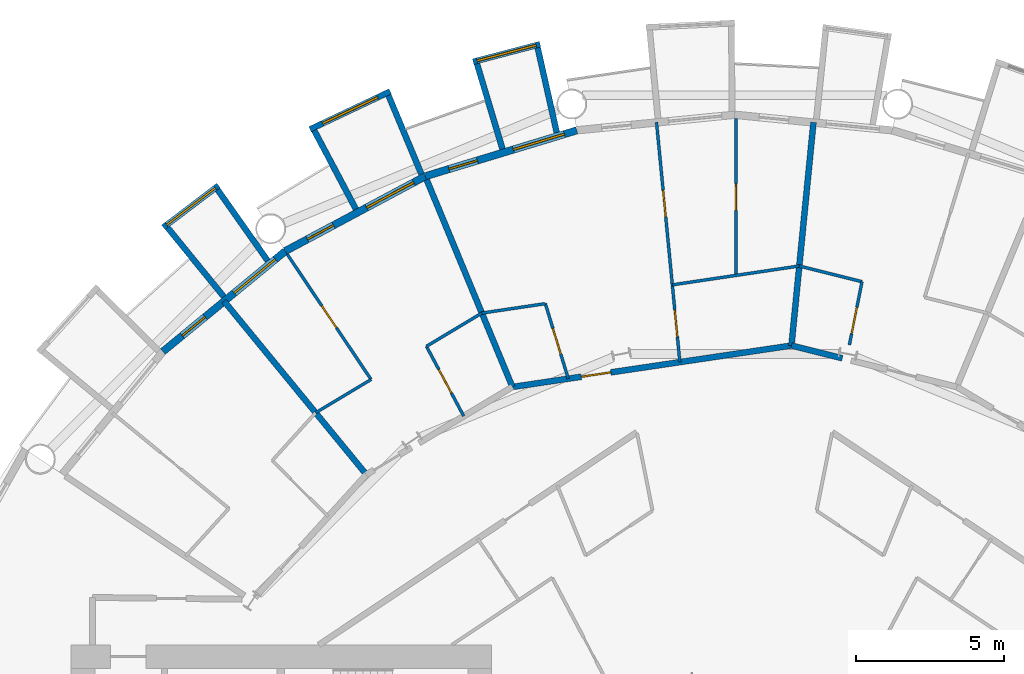
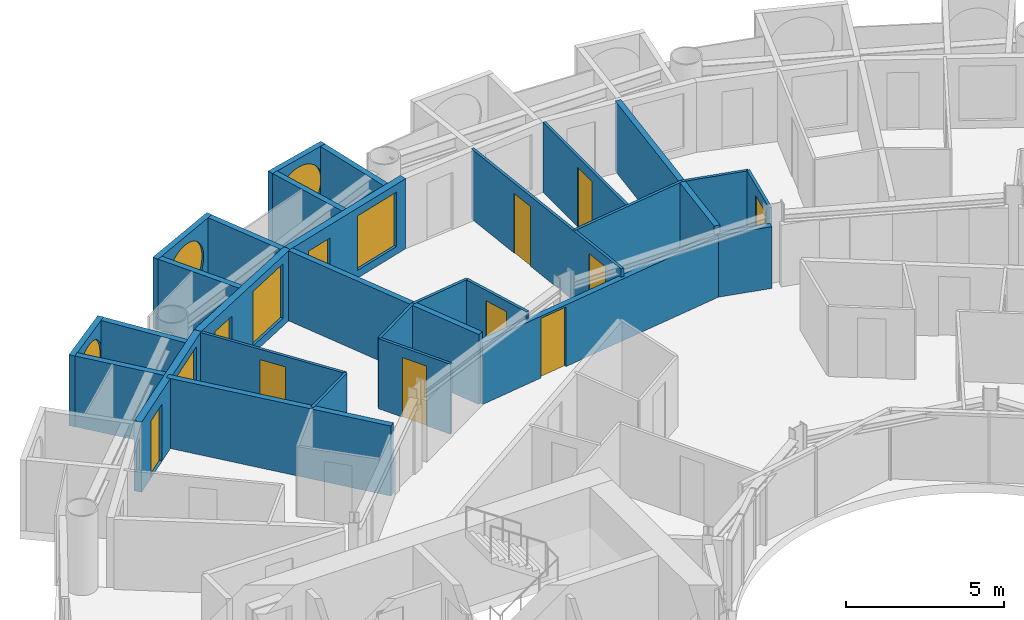
# One storey, part 19 of 26: 28 walls, 11 doors, 6 windows, 17 openings.
"""IFC4 building model written with IfcOpenShell, lengths in metres."""

from ifc_helpers import new_model, si_unit, direction, frame, frame_2d, origin, place, context, subcontext, project, spatial, rectangle, circle, extrude, material, layer, layer_set, type_object, element, fill, save


model = new_model("IFC4")

# Units and contexts
model_context = context("Model", 3, precision=1e-05, world=origin(), true_north=direction((0.0, 1.0)))
body_context = subcontext(model_context, "Body", "Model", "MODEL_VIEW")
ifc_project = project(units=[si_unit("LENGTHUNIT", "METRE"), si_unit("AREAUNIT", "SQUARE_METRE"), si_unit("VOLUMEUNIT", "CUBIC_METRE"), si_unit("PLANEANGLEUNIT", "RADIAN"), si_unit("MASSUNIT", "GRAM", prefix="KILO")], contexts=[model_context])

# Site, building, storey
site_placement = place(None, origin())
site = spatial("IfcSite", under=ifc_project, at=site_placement, CompositionType="ELEMENT")
building_placement = place(site_placement, origin())
building = spatial("IfcBuilding", under=site, at=building_placement, Name="Maasbend Ring Residences", CompositionType="ELEMENT")
storey_placement = place(building_placement, frame((0.0, 0.0, 28.89990234375)))
storey = spatial("IfcBuildingStorey", under=building, at=storey_placement, Name="L07", CompositionType="ELEMENT", Elevation=28.89990234375)

# Wall, opening, door
ifc_material_1 = material(Name="Concrete C30/37", Category="concrete")
ifc_layer_1 = layer(ifc_material_1, 0.199951171875)
ifc_layer_set_1 = layer_set([ifc_layer_1], Name="Concrete C30/37")
wall_type_1 = type_object("IfcWallType", Name="CORRIDOR WALL 200 CONCRETE", PredefinedType="PARTITIONING", material=ifc_layer_set_1)
wall_1_placement = place(storey_placement, frame((-7.5009765625, 18.10791015625, 0.0), z_axis=(0.0, 0.0, 1.0), x_axis=(0.989167514259, 0.146791105777, 0.0)))
wall_1 = element("IfcWall", 1, at=wall_1_placement, inside=storey, type_object=wall_type_1, Name="U-L07-w086", PredefinedType="PARTITIONING", context=body_context, shape_type="SweptSolid", body=[
    extrude(rectangle(XDim=9.525146484375, YDim=0.199951171875, at=frame_2d((4.7626953125, 0.0))), origin(), (0.0, 0.0, 1.0), 2.380126953125),
])
opening_1_placement = place(wall_1_placement, frame((2.35498046875, 0.0, 0.0)))
opening_1 = element("IfcOpeningElement", 2, at=opening_1_placement, cuts=wall_1, Name="Opening D-0710", PredefinedType="OPENING", context=body_context, shape_type="SweptSolid", body=[
    extrude(rectangle(XDim=1.0, YDim=2.300048828125, at=frame_2d((0.5, 1.14990234375))), frame((0.0, 0.10986328125, 0.0), z_axis=(0.0, -1.0, 0.0), x_axis=(1.0, 0.0, 0.0)), (0.0, 0.0, 1.0), 0.219970703125),
])
ifc_material_2 = material(Name="Timber, fire-rated, painted", Category="wood")
door_type_1 = type_object("IfcDoorType", Name="FLAT ENTRANCE DOOR 1000 X 2300 FIRE-RATED", OperationType="NOTDEFINED", PredefinedType="DOOR", material=ifc_material_2)
door_1_placement = place(opening_1_placement, origin())
door_1 = element("IfcDoor", 3, at=door_1_placement, inside=storey, type_object=door_type_1, Name="D-0710", OperationType="SINGLE_SWING_LEFT", OverallHeight=2.300048828125, OverallWidth=1.0, PredefinedType="DOOR", context=body_context, shape_type="SweptSolid", body=[
    extrude(rectangle(XDim=1.0, YDim=2.300048828125, at=frame_2d((0.5, 1.14990234375))), frame((0.0, 0.02490234375, 0.0), z_axis=(0.0, -1.0, 0.0), x_axis=(1.0, 0.0, 0.0)), (0.0, 0.0, 1.0), 0.050048828125),
])
fill(opening_1, door_1)

# Wall
wall_2_placement = place(storey_placement, frame((1.9208984375, 19.506103515625, 0.0), z_axis=(0.0, 0.0, 1.0), x_axis=(0.970053237222, -0.242892397895, 0.0)))
element("IfcWall", 4, at=wall_2_placement, inside=storey, type_object=wall_type_1, Name="U-L07-w090", PredefinedType="PARTITIONING", context=body_context, shape_type="SweptSolid", body=[
    extrude(rectangle(XDim=1.77099609375, YDim=0.199951171875, at=frame_2d((0.885498046875, 0.0))), origin(), (0.0, 0.0, 1.0), 2.380126953125),
])

# Wall, opening, window
ifc_material_3 = material(Name="Pale anodised aluminium panel", Category="aluminium")
ifc_layer_2 = layer(ifc_material_3, 0.199951171875)
ifc_layer_set_2 = layer_set([ifc_layer_2], Name="EW-BOX")
wall_type_2 = type_object("IfcWallType", Name="EW-BOX", PredefinedType="SOLIDWALL", material=ifc_layer_set_2)
wall_3_placement = place(storey_placement, frame((-6.568115234375, 29.681884765625, -0.02978515625), z_axis=(0.0, 0.0, 1.0), x_axis=(-0.967377102346, -0.253340762326, 0.0)))
wall_3 = element("IfcWall", 5, at=wall_3_placement, inside=storey, type_object=wall_type_2, Name="Box front N13", PredefinedType="SOLIDWALL", context=body_context, shape_type="SweptSolid", body=[
    extrude(rectangle(XDim=2.3359375, YDim=0.199951171875, at=frame_2d((1.16796875, 0.0))), origin(), (0.0, 0.0, 1.0), 2.72998046875),
])
opening_2_placement = place(wall_3_placement, frame((0.128173828125, 0.0, 0.330078125)))
opening_2 = element("IfcOpeningElement", 6, at=opening_2_placement, cuts=wall_3, Name="Opening W-RD", PredefinedType="OPENING", context=body_context, shape_type="SweptSolid", body=[
    extrude(circle(Radius=1.0400390625, at=frame_2d((1.0400390625, 1.0400390625))), frame((0.0, 0.10986328125, 0.0), z_axis=(0.0, -1.0, 0.0), x_axis=(1.0, 0.0, 0.0)), (0.0, 0.0, 1.0), 0.219970703125),
])
ifc_material_4 = material(Name="Aluminium and clear glass", Category="aluminium")
window_type_1 = type_object("IfcWindowType", Name="W-RD", PartitioningType="SINGLE_PANEL", PredefinedType="WINDOW", material=ifc_material_4)
window_1_placement = place(opening_2_placement, origin())
window_1 = element("IfcWindow", 7, at=window_1_placement, inside=storey, type_object=window_type_1, Name="Round window N13", OverallHeight=2.080078125, OverallWidth=2.080078125, PartitioningType="SINGLE_PANEL", PredefinedType="WINDOW", context=body_context, shape_type="SweptSolid", body=[
    extrude(circle(Radius=1.0400390625, at=frame_2d((1.0400390625, 1.0400390625))), frame((0.0, 0.030029296875, 0.0), z_axis=(0.0, -1.0, 0.0), x_axis=(1.0, 0.0, 0.0)), (0.0, 0.0, 1.0), 0.06005859375),
])
fill(opening_2, window_1)

# Walls
wall_4_placement = place(storey_placement, frame((-6.00390625, 26.699951171875, -0.02978515625), z_axis=(0.0, 0.0, 1.0), x_axis=(-0.219609259383, 0.975587911566, 0.0)))
element("IfcWall", 8, at=wall_4_placement, inside=storey, type_object=wall_type_2, Name="Box side wall N13 left", PredefinedType="SOLIDWALL", context=body_context, shape_type="SweptSolid", body=[
    extrude(rectangle(XDim=2.9326171875, YDim=0.199951171875, at=frame_2d((1.46630859375, 0.0))), origin(), (0.0, 0.0, 1.0), 2.72998046875),
])
wall_5_placement = place(storey_placement, frame((-7.8369140625, 26.14404296875, -0.02978515625), z_axis=(0.0, 0.0, 1.0), x_axis=(-0.287064767992, 0.957911174889, 0.0)))
element("IfcWall", 9, at=wall_5_placement, inside=storey, type_object=wall_type_2, Name="Box side wall N13 right", PredefinedType="SOLIDWALL", context=body_context, shape_type="SweptSolid", body=[
    extrude(rectangle(XDim=3.00634765625, YDim=0.199951171875, at=frame_2d((1.503173828125, 0.0))), origin(), (0.0, 0.0, 1.0), 2.72998046875),
])

# Wall, opening, window
wall_6_placement = place(storey_placement, frame((-11.62890625, 28.087890625, -0.02978515625), z_axis=(0.0, 0.0, 1.0), x_axis=(-0.904000060331, -0.427532327342, 0.0)))
wall_6 = element("IfcWall", 10, at=wall_6_placement, inside=storey, type_object=wall_type_2, Name="Box front N15", PredefinedType="SOLIDWALL", context=body_context, shape_type="SweptSolid", body=[
    extrude(rectangle(XDim=2.993408203125, YDim=0.199951171875, at=frame_2d((1.49658203125, 0.0))), origin(), (0.0, 0.0, 1.0), 2.72998046875),
])
opening_3_placement = place(wall_6_placement, frame((0.45654296875, 0.0, 0.330078125)))
opening_3 = element("IfcOpeningElement", 11, at=opening_3_placement, cuts=wall_6, Name="Opening W-RD", PredefinedType="OPENING", context=body_context, shape_type="SweptSolid", body=[
    extrude(circle(Radius=1.0400390625, at=frame_2d((1.0400390625, 1.0400390625))), frame((0.0, 0.10986328125, 0.0), z_axis=(0.0, -1.0, 0.0), x_axis=(1.0, 0.0, 0.0)), (0.0, 0.0, 1.0), 0.219970703125),
])
window_2_placement = place(opening_3_placement, origin())
window_2 = element("IfcWindow", 12, at=window_2_placement, inside=storey, type_object=window_type_1, Name="Round window N15", OverallHeight=2.080078125, OverallWidth=2.080078125, PartitioningType="SINGLE_PANEL", PredefinedType="WINDOW", context=body_context, shape_type="SweptSolid", body=[
    extrude(circle(Radius=1.0400390625, at=frame_2d((1.0400390625, 1.0400390625))), frame((0.0, 0.030029296875, 0.0), z_axis=(0.0, -1.0, 0.0), x_axis=(1.0, 0.0, 0.0)), (0.0, 0.0, 1.0), 0.06005859375),
])
fill(opening_3, window_2)

# Walls
wall_7_placement = place(storey_placement, frame((-10.574951171875, 25.294921875, -0.02978515625), z_axis=(0.0, 0.0, 1.0), x_axis=(-0.385697364644, 0.922625353492, 0.0)))
element("IfcWall", 13, at=wall_7_placement, inside=storey, type_object=wall_type_2, Name="Box side wall N15 left", PredefinedType="SOLIDWALL", context=body_context, shape_type="SweptSolid", body=[
    extrude(rectangle(XDim=2.88330078125, YDim=0.199951171875, at=frame_2d((1.441650390625, 0.0))), origin(), (0.0, 0.0, 1.0), 2.72998046875),
])
wall_8_placement = place(storey_placement, frame((-12.787109375, 24.113037109375, -0.02978515625), z_axis=(0.0, 0.0, 1.0), x_axis=(-0.468365282436, 0.883534924159, 0.0)))
element("IfcWall", 14, at=wall_8_placement, inside=storey, type_object=wall_type_2, Name="Box side wall N15 right", PredefinedType="SOLIDWALL", context=body_context, shape_type="SweptSolid", body=[
    extrude(rectangle(XDim=3.006103515625, YDim=0.199951171875, at=frame_2d((1.5029296875, 0.0))), origin(), (0.0, 0.0, 1.0), 2.72998046875),
])

# Wall, opening, window
wall_9_placement = place(storey_placement, frame((-17.427001953125, 24.908935546875, -0.02978515625), z_axis=(0.0, 0.0, 1.0), x_axis=(-0.796842165306, -0.60418752353, 0.0)))
wall_9 = element("IfcWall", 15, at=wall_9_placement, inside=storey, type_object=wall_type_2, Name="Box front N17", PredefinedType="SOLIDWALL", context=body_context, shape_type="SweptSolid", body=[
    extrude(rectangle(XDim=2.3369140625, YDim=0.199951171875, at=frame_2d((1.16845703125, 0.0))), origin(), (0.0, 0.0, 1.0), 2.72998046875),
])
opening_4_placement = place(wall_9_placement, frame((0.128173828125, 0.0, 0.330078125)))
opening_4 = element("IfcOpeningElement", 16, at=opening_4_placement, cuts=wall_9, Name="Opening W-RD", PredefinedType="OPENING", context=body_context, shape_type="SweptSolid", body=[
    extrude(circle(Radius=1.0400390625, at=frame_2d((1.0400390625, 1.0400390625))), frame((0.0, 0.10986328125, 0.0), z_axis=(0.0, -1.0, 0.0), x_axis=(1.0, 0.0, 0.0)), (0.0, 0.0, 1.0), 0.219970703125),
])
window_3_placement = place(opening_4_placement, origin())
window_3 = element("IfcWindow", 17, at=window_3_placement, inside=storey, type_object=window_type_1, Name="Round window N17", OverallHeight=2.080078125, OverallWidth=2.080078125, PartitioningType="SINGLE_PANEL", PredefinedType="WINDOW", context=body_context, shape_type="SweptSolid", body=[
    extrude(circle(Radius=1.0400390625, at=frame_2d((1.0400390625, 1.0400390625))), frame((0.0, 0.030029296875, 0.0), z_axis=(0.0, -1.0, 0.0), x_axis=(1.0, 0.0, 0.0)), (0.0, 0.0, 1.0), 0.06005859375),
])
fill(opening_4, window_3)

# Walls
wall_10_placement = place(storey_placement, frame((-15.764892578125, 22.3701171875, -0.02978515625), z_axis=(0.0, 0.0, 1.0), x_axis=(-0.576274612209, 0.817256123454, 0.0)))
element("IfcWall", 18, at=wall_10_placement, inside=storey, type_object=wall_type_2, Name="Box side wall N17 left", PredefinedType="SOLIDWALL", context=body_context, shape_type="SweptSolid", body=[
    extrude(rectangle(XDim=2.932861328125, YDim=0.199951171875, at=frame_2d((1.46630859375, 0.0))), origin(), (0.0, 0.0, 1.0), 2.72998046875),
])
wall_11_placement = place(storey_placement, frame((-17.24609375, 21.155029296875, -0.02978515625), z_axis=(0.0, 0.0, 1.0), x_axis=(-0.631741648902, 0.775179004516, 0.0)))
element("IfcWall", 19, at=wall_11_placement, inside=storey, type_object=wall_type_2, Name="Box side wall N17 right", PredefinedType="SOLIDWALL", context=body_context, shape_type="SweptSolid", body=[
    extrude(rectangle(XDim=3.005859375, YDim=0.199951171875, at=frame_2d((1.5029296875, 0.0))), origin(), (0.0, 0.0, 1.0), 2.72998046875),
])

# Wall, openings, door, window
ifc_material_5 = material(Name="Aluminium clad insulated panel", Category="aluminium")
ifc_layer_3 = layer(ifc_material_5, 0.25)
ifc_layer_set_3 = layer_set([ifc_layer_3], Name="EW-GL")
wall_type_3 = type_object("IfcWallType", Name="EW-GL", PredefinedType="SOLIDWALL", material=ifc_layer_set_3)
wall_12_placement = place(storey_placement, frame((-5.325927734375, 26.77490234375, 0.0), z_axis=(0.0, 0.0, 1.0), x_axis=(-0.956965678721, -0.290201119486, 0.0)))
wall_12 = element("IfcWall", 20, at=wall_12_placement, inside=storey, type_object=wall_type_3, Name="External wall N07", PredefinedType="SOLIDWALL", context=body_context, shape_type="SweptSolid", body=[
    extrude(rectangle(XDim=5.351318359375, YDim=0.25, at=frame_2d((2.67578125, 0.0))), origin(), (0.0, 0.0, 1.0), 2.7001953125),
])
opening_5_placement = place(wall_12_placement, frame((0.441162109375, 0.0, 0.300048828125)))
opening_5 = element("IfcOpeningElement", 21, at=opening_5_placement, cuts=wall_12, Name="Opening W-BX", PredefinedType="OPENING", context=body_context, shape_type="SweptSolid", body=[
    extrude(rectangle(XDim=1.800048828125, YDim=2.10009765625, at=frame_2d((0.89990234375, 1.050048828125))), frame((0.0, 0.135009765625, 0.0), z_axis=(0.0, -1.0, 0.0), x_axis=(1.0, 0.0, 0.0)), (0.0, 0.0, 1.0), 0.27001953125),
])
opening_6_placement = place(wall_12_placement, frame((3.510498046875, 0.0, 0.0)))
opening_6 = element("IfcOpeningElement", 22, at=opening_6_placement, cuts=wall_12, Name="Opening D-LG", PredefinedType="OPENING", context=body_context, shape_type="SweptSolid", body=[
    extrude(rectangle(XDim=1.0, YDim=2.199951171875, at=frame_2d((0.5, 1.10009765625))), frame((0.0, 0.135009765625, 0.0), z_axis=(0.0, -1.0, 0.0), x_axis=(1.0, 0.0, 0.0)), (0.0, 0.0, 1.0), 0.27001953125),
])
ifc_material_6 = material(Name="Aluminium and clear glass", Category="aluminium")
door_type_2 = type_object("IfcDoorType", Name="D-LG", OperationType="SINGLE_SWING_LEFT", PredefinedType="DOOR", material=ifc_material_6)
door_2_placement = place(opening_6_placement, origin())
door_2 = element("IfcDoor", 23, at=door_2_placement, inside=storey, type_object=door_type_2, Name="Loggia door N14", OperationType="SINGLE_SWING_LEFT", OverallHeight=2.199951171875, OverallWidth=1.0, PredefinedType="DOOR", context=body_context, shape_type="SweptSolid", body=[
    extrude(rectangle(XDim=1.0, YDim=2.199951171875, at=frame_2d((0.5, 1.10009765625))), frame((0.0, 0.02490234375, 0.0), z_axis=(0.0, -1.0, 0.0), x_axis=(1.0, 0.0, 0.0)), (0.0, 0.0, 1.0), 0.050048828125),
])
fill(opening_6, door_2)
ifc_material_7 = material(Name="Aluminium and clear glass", Category="aluminium")
window_type_2 = type_object("IfcWindowType", Name="W-BX", PartitioningType="DOUBLE_PANEL_VERTICAL", PredefinedType="WINDOW", material=ifc_material_7)
window_4_placement = place(opening_5_placement, origin())
window_4 = element("IfcWindow", 24, at=window_4_placement, inside=storey, type_object=window_type_2, Name="Window N13 room to box", OverallHeight=2.10009765625, OverallWidth=1.800048828125, PartitioningType="SINGLE_PANEL", PredefinedType="WINDOW", context=body_context, shape_type="SweptSolid", body=[
    extrude(rectangle(XDim=1.800048828125, YDim=2.10009765625, at=frame_2d((0.89990234375, 1.050048828125))), frame((0.0, 0.030029296875, 0.0), z_axis=(0.0, -1.0, 0.0), x_axis=(1.0, 0.0, 0.0)), (0.0, 0.0, 1.0), 0.06005859375),
])
fill(opening_5, window_4)

wall_13_placement = place(storey_placement, frame((-10.447021484375, 25.221923828125, 0.0), z_axis=(0.0, 0.0, 1.0), x_axis=(-0.881915646801, -0.471407246368, 0.0)))
wall_13 = element("IfcWall", 25, at=wall_13_placement, inside=storey, type_object=wall_type_3, Name="External wall N08", PredefinedType="SOLIDWALL", context=body_context, shape_type="SweptSolid", body=[
    extrude(rectangle(XDim=5.35205078125, YDim=0.25, at=frame_2d((2.676025390625, 0.0))), origin(), (0.0, 0.0, 1.0), 2.7001953125),
])
opening_7_placement = place(wall_13_placement, frame((0.441162109375, 0.0, 0.300048828125)))
opening_7 = element("IfcOpeningElement", 26, at=opening_7_placement, cuts=wall_13, Name="Opening W-BX", PredefinedType="OPENING", context=body_context, shape_type="SweptSolid", body=[
    extrude(rectangle(XDim=1.800048828125, YDim=2.10009765625, at=frame_2d((0.89990234375, 1.050048828125))), frame((0.0, 0.135009765625, 0.0), z_axis=(0.0, -1.0, 0.0), x_axis=(1.0, 0.0, 0.0)), (0.0, 0.0, 1.0), 0.27001953125),
])
opening_8_placement = place(wall_13_placement, frame((3.510498046875, 0.0, 0.0)))
opening_8 = element("IfcOpeningElement", 27, at=opening_8_placement, cuts=wall_13, Name="Opening D-LG", PredefinedType="OPENING", context=body_context, shape_type="SweptSolid", body=[
    extrude(rectangle(XDim=1.0, YDim=2.199951171875, at=frame_2d((0.5, 1.10009765625))), frame((0.0, 0.135009765625, 0.0), z_axis=(0.0, -1.0, 0.0), x_axis=(1.0, 0.0, 0.0)), (0.0, 0.0, 1.0), 0.27001953125),
])
door_3_placement = place(opening_8_placement, origin())
door_3 = element("IfcDoor", 28, at=door_3_placement, inside=storey, type_object=door_type_2, Name="Loggia door N16", OperationType="SINGLE_SWING_LEFT", OverallHeight=2.199951171875, OverallWidth=1.0, PredefinedType="DOOR", context=body_context, shape_type="SweptSolid", body=[
    extrude(rectangle(XDim=1.0, YDim=2.199951171875, at=frame_2d((0.5, 1.10009765625))), frame((0.0, 0.02490234375, 0.0), z_axis=(0.0, -1.0, 0.0), x_axis=(1.0, 0.0, 0.0)), (0.0, 0.0, 1.0), 0.050048828125),
])
fill(opening_8, door_3)
window_5_placement = place(opening_7_placement, origin())
window_5 = element("IfcWindow", 29, at=window_5_placement, inside=storey, type_object=window_type_2, Name="Window N15 room to box", OverallHeight=2.10009765625, OverallWidth=1.800048828125, PartitioningType="SINGLE_PANEL", PredefinedType="WINDOW", context=body_context, shape_type="SweptSolid", body=[
    extrude(rectangle(XDim=1.800048828125, YDim=2.10009765625, at=frame_2d((0.89990234375, 1.050048828125))), frame((0.0, 0.030029296875, 0.0), z_axis=(0.0, -1.0, 0.0), x_axis=(1.0, 0.0, 0.0)), (0.0, 0.0, 1.0), 0.06005859375),
])
fill(opening_7, window_5)

wall_14_placement = place(storey_placement, frame((-15.1669921875, 22.698974609375, 0.0), z_axis=(0.0, 0.0, 1.0), x_axis=(-0.773019449054, -0.634382322723, 0.0)))
wall_14 = element("IfcWall", 30, at=wall_14_placement, inside=storey, type_object=wall_type_3, Name="External wall N09", PredefinedType="SOLIDWALL", context=body_context, shape_type="SweptSolid", body=[
    extrude(rectangle(XDim=5.351806640625, YDim=0.25, at=frame_2d((2.67578125, 0.0))), origin(), (0.0, 0.0, 1.0), 2.7001953125),
])
opening_9_placement = place(wall_14_placement, frame((0.441162109375, 0.0, 0.300048828125)))
opening_9 = element("IfcOpeningElement", 31, at=opening_9_placement, cuts=wall_14, Name="Opening W-BX", PredefinedType="OPENING", context=body_context, shape_type="SweptSolid", body=[
    extrude(rectangle(XDim=1.800048828125, YDim=2.10009765625, at=frame_2d((0.89990234375, 1.050048828125))), frame((0.0, 0.135009765625, 0.0), z_axis=(0.0, -1.0, 0.0), x_axis=(1.0, 0.0, 0.0)), (0.0, 0.0, 1.0), 0.27001953125),
])
opening_10_placement = place(wall_14_placement, frame((3.510498046875, 0.0, 0.0)))
opening_10 = element("IfcOpeningElement", 32, at=opening_10_placement, cuts=wall_14, Name="Opening D-LG", PredefinedType="OPENING", context=body_context, shape_type="SweptSolid", body=[
    extrude(rectangle(XDim=1.0, YDim=2.199951171875, at=frame_2d((0.5, 1.10009765625))), frame((0.0, 0.135009765625, 0.0), z_axis=(0.0, -1.0, 0.0), x_axis=(1.0, 0.0, 0.0)), (0.0, 0.0, 1.0), 0.27001953125),
])
door_4_placement = place(opening_10_placement, origin())
door_4 = element("IfcDoor", 33, at=door_4_placement, inside=storey, type_object=door_type_2, Name="Loggia door N18", OperationType="SINGLE_SWING_LEFT", OverallHeight=2.199951171875, OverallWidth=1.0, PredefinedType="DOOR", context=body_context, shape_type="SweptSolid", body=[
    extrude(rectangle(XDim=1.0, YDim=2.199951171875, at=frame_2d((0.5, 1.10009765625))), frame((0.0, 0.02490234375, 0.0), z_axis=(0.0, -1.0, 0.0), x_axis=(1.0, 0.0, 0.0)), (0.0, 0.0, 1.0), 0.050048828125),
])
fill(opening_10, door_4)
window_6_placement = place(opening_9_placement, origin())
window_6 = element("IfcWindow", 34, at=window_6_placement, inside=storey, type_object=window_type_2, Name="Window N17 room to box", OverallHeight=2.10009765625, OverallWidth=1.800048828125, PartitioningType="SINGLE_PANEL", PredefinedType="WINDOW", context=body_context, shape_type="SweptSolid", body=[
    extrude(rectangle(XDim=1.800048828125, YDim=2.10009765625, at=frame_2d((0.89990234375, 1.050048828125))), frame((0.0, 0.030029296875, 0.0), z_axis=(0.0, -1.0, 0.0), x_axis=(1.0, 0.0, 0.0)), (0.0, 0.0, 1.0), 0.06005859375),
])
fill(opening_9, window_6)

# Wall, opening, door
ifc_material_8 = material(Name="Gypsum board on steel studs", Category="steel")
ifc_layer_4 = layer(ifc_material_8, 0.10009765625)
ifc_layer_set_4 = layer_set([ifc_layer_4], Name="PARTITION 100 GYPSUM")
wall_type_4 = type_object("IfcWallType", Name="PARTITION 100 GYPSUM", PredefinedType="PARTITIONING", material=ifc_layer_set_4)
wall_15_placement = place(storey_placement, frame((-15.10498046875, 22.590087890625, 0.0), z_axis=(0.0, 0.0, 1.0), x_axis=(0.555939561221, -0.831222716406, 0.0)))
wall_15 = element("IfcWall", 35, at=wall_15_placement, inside=storey, type_object=wall_type_4, Name="U-L07-w032", PredefinedType="PARTITIONING", context=body_context, shape_type="SweptSolid", body=[
    extrude(rectangle(XDim=5.0888671875, YDim=0.10009765625, at=frame_2d((2.54443359375, 0.0))), origin(), (0.0, 0.0, 1.0), 2.7001953125),
])
opening_11_placement = place(wall_15_placement, frame((2.093994140625, 0.0, 0.0)))
opening_11 = element("IfcOpeningElement", 36, at=opening_11_placement, cuts=wall_15, Name="Opening D-0717", PredefinedType="OPENING", context=body_context, shape_type="SweptSolid", body=[
    extrude(rectangle(XDim=0.89990234375, YDim=2.300048828125, at=frame_2d((0.449951171875, 1.14990234375))), frame((0.0, 0.06005859375, 0.0), z_axis=(0.0, -1.0, 0.0), x_axis=(1.0, 0.0, 0.0)), (0.0, 0.0, 1.0), 0.1201171875),
])
ifc_material_9 = material(Name="Timber, painted", Category="wood")
door_type_3 = type_object("IfcDoorType", Name="INTERNAL DOOR 900 X 2300", OperationType="NOTDEFINED", PredefinedType="DOOR", material=ifc_material_9)
door_5_placement = place(opening_11_placement, origin())
door_5 = element("IfcDoor", 37, at=door_5_placement, inside=storey, type_object=door_type_3, Name="D-0717", OperationType="SINGLE_SWING_RIGHT", OverallHeight=2.300048828125, OverallWidth=0.89990234375, PredefinedType="DOOR", context=body_context, shape_type="SweptSolid", body=[
    extrude(rectangle(XDim=0.89990234375, YDim=2.300048828125, at=frame_2d((0.449951171875, 1.14990234375))), frame((0.0, 0.02490234375, 0.0), z_axis=(0.0, -1.0, 0.0), x_axis=(1.0, 0.0, 0.0)), (0.0, 0.0, 1.0), 0.050048828125),
])
fill(opening_11, door_5)

wall_16_placement = place(storey_placement, frame((-10.405029296875, 19.48095703125, 0.0), z_axis=(0.0, 0.0, 1.0), x_axis=(0.471151994359, -0.882052038267, 0.0)))
wall_16 = element("IfcWall", 38, at=wall_16_placement, inside=storey, type_object=wall_type_4, Name="U-L07-w036", PredefinedType="PARTITIONING", context=body_context, shape_type="SweptSolid", body=[
    extrude(rectangle(XDim=2.67431640625, YDim=0.10009765625, at=frame_2d((1.337158203125, 0.0))), origin(), (0.0, 0.0, 1.0), 2.7001953125),
])
opening_12_placement = place(wall_16_placement, frame((0.886962890625, 0.0, 0.0)))
opening_12 = element("IfcOpeningElement", 39, at=opening_12_placement, cuts=wall_16, Name="Opening D-0716", PredefinedType="OPENING", context=body_context, shape_type="SweptSolid", body=[
    extrude(rectangle(XDim=0.89990234375, YDim=2.300048828125, at=frame_2d((0.449951171875, 1.14990234375))), frame((0.0, 0.06005859375, 0.0), z_axis=(0.0, -1.0, 0.0), x_axis=(1.0, 0.0, 0.0)), (0.0, 0.0, 1.0), 0.1201171875),
])
door_6_placement = place(opening_12_placement, origin())
door_6 = element("IfcDoor", 40, at=door_6_placement, inside=storey, type_object=door_type_3, Name="D-0716", OperationType="SINGLE_SWING_LEFT", OverallHeight=2.300048828125, OverallWidth=0.89990234375, PredefinedType="DOOR", context=body_context, shape_type="SweptSolid", body=[
    extrude(rectangle(XDim=0.89990234375, YDim=2.300048828125, at=frame_2d((0.449951171875, 1.14990234375))), frame((0.0, 0.02490234375, 0.0), z_axis=(0.0, -1.0, 0.0), x_axis=(1.0, 0.0, 0.0)), (0.0, 0.0, 1.0), 0.050048828125),
])
fill(opening_12, door_6)

wall_17_placement = place(storey_placement, frame((-6.389892578125, 20.9208984375, 0.0), z_axis=(0.0, 0.0, 1.0), x_axis=(0.292206826201, -0.956355148845, 0.0)))
wall_17 = element("IfcWall", 41, at=wall_17_placement, inside=storey, type_object=wall_type_4, Name="U-L07-w041", PredefinedType="PARTITIONING", context=body_context, shape_type="SweptSolid", body=[
    extrude(rectangle(XDim=2.6484375, YDim=0.10009765625, at=frame_2d((1.32421875, 0.0))), origin(), (0.0, 0.0, 1.0), 2.7001953125),
])
opening_13_placement = place(wall_17_placement, frame((0.8740234375, 0.0, 0.0)))
opening_13 = element("IfcOpeningElement", 42, at=opening_13_placement, cuts=wall_17, Name="Opening D-0711", PredefinedType="OPENING", context=body_context, shape_type="SweptSolid", body=[
    extrude(rectangle(XDim=0.89990234375, YDim=2.300048828125, at=frame_2d((0.449951171875, 1.14990234375))), frame((0.0, 0.06005859375, 0.0), z_axis=(0.0, -1.0, 0.0), x_axis=(1.0, 0.0, 0.0)), (0.0, 0.0, 1.0), 0.1201171875),
])
door_7_placement = place(opening_13_placement, origin())
door_7 = element("IfcDoor", 43, at=door_7_placement, inside=storey, type_object=door_type_3, Name="D-0711", OperationType="SINGLE_SWING_LEFT", OverallHeight=2.300048828125, OverallWidth=0.89990234375, PredefinedType="DOOR", context=body_context, shape_type="SweptSolid", body=[
    extrude(rectangle(XDim=0.89990234375, YDim=2.300048828125, at=frame_2d((0.449951171875, 1.14990234375))), frame((0.0, 0.02490234375, 0.0), z_axis=(0.0, -1.0, 0.0), x_axis=(1.0, 0.0, 0.0)), (0.0, 0.0, 1.0), 0.050048828125),
])
fill(opening_13, door_7)

# Wall, openings, doors
wall_18_placement = place(storey_placement, frame((-2.635986328125, 27.047119140625, 0.0), z_axis=(0.0, 0.0, 1.0), x_axis=(0.096836141099, -0.995300337475, 0.0)))
wall_18 = element("IfcWall", 44, at=wall_18_placement, inside=storey, type_object=wall_type_4, Name="U-L07-w046", PredefinedType="PARTITIONING", context=body_context, shape_type="SweptSolid", body=[
    extrude(rectangle(XDim=8.138427734375, YDim=0.10009765625, at=frame_2d((4.0693359375, 0.0))), origin(), (0.0, 0.0, 1.0), 2.7001953125),
])
opening_14_placement = place(wall_18_placement, frame((6.376953125, 0.0, 0.0)))
opening_14 = element("IfcOpeningElement", 45, at=opening_14_placement, cuts=wall_18, Name="Opening D-0712", PredefinedType="OPENING", context=body_context, shape_type="SweptSolid", body=[
    extrude(rectangle(XDim=0.89990234375, YDim=2.300048828125, at=frame_2d((0.449951171875, 1.14990234375))), frame((0.0, 0.06005859375, 0.0), z_axis=(0.0, -1.0, 0.0), x_axis=(1.0, 0.0, 0.0)), (0.0, 0.0, 1.0), 0.1201171875),
])
opening_15_placement = place(wall_18_placement, frame((2.30810546875, 0.0, 0.0)))
opening_15 = element("IfcOpeningElement", 46, at=opening_15_placement, cuts=wall_18, Name="Opening D-0713", PredefinedType="OPENING", context=body_context, shape_type="SweptSolid", body=[
    extrude(rectangle(XDim=0.89990234375, YDim=2.300048828125, at=frame_2d((0.449951171875, 1.14990234375))), frame((0.0, 0.06005859375, 0.0), z_axis=(0.0, -1.0, 0.0), x_axis=(1.0, 0.0, 0.0)), (0.0, 0.0, 1.0), 0.1201171875),
])
door_8_placement = place(opening_14_placement, origin())
door_8 = element("IfcDoor", 47, at=door_8_placement, inside=storey, type_object=door_type_3, Name="D-0712", OperationType="SINGLE_SWING_RIGHT", OverallHeight=2.300048828125, OverallWidth=0.89990234375, PredefinedType="DOOR", context=body_context, shape_type="SweptSolid", body=[
    extrude(rectangle(XDim=0.89990234375, YDim=2.300048828125, at=frame_2d((0.449951171875, 1.14990234375))), frame((0.0, 0.02490234375, 0.0), z_axis=(0.0, -1.0, 0.0), x_axis=(1.0, 0.0, 0.0)), (0.0, 0.0, 1.0), 0.050048828125),
])
fill(opening_14, door_8)
door_9_placement = place(opening_15_placement, origin())
door_9 = element("IfcDoor", 48, at=door_9_placement, inside=storey, type_object=door_type_3, Name="D-0713", OperationType="SINGLE_SWING_LEFT", OverallHeight=2.300048828125, OverallWidth=0.89990234375, PredefinedType="DOOR", context=body_context, shape_type="SweptSolid", body=[
    extrude(rectangle(XDim=0.89990234375, YDim=2.300048828125, at=frame_2d((0.449951171875, 1.14990234375))), frame((0.0, 0.02490234375, 0.0), z_axis=(0.0, -1.0, 0.0), x_axis=(1.0, 0.0, 0.0)), (0.0, 0.0, 1.0), 0.050048828125),
])
fill(opening_15, door_9)

# Wall, opening, door
wall_19_placement = place(storey_placement, frame((0.0419921875, 21.875, 0.0), z_axis=(0.0, 0.0, 1.0), x_axis=(0.001888614256, 0.999998216567, 0.0)))
wall_19 = element("IfcWall", 49, at=wall_19_placement, inside=storey, type_object=wall_type_4, Name="U-L07-w049", PredefinedType="PARTITIONING", context=body_context, shape_type="SweptSolid", body=[
    extrude(rectangle(XDim=5.300048828125, YDim=0.10009765625, at=frame_2d((2.64990234375, 0.0))), origin(), (0.0, 0.0, 1.0), 2.7001953125),
])
opening_16_placement = place(wall_19_placement, frame((2.199951171875, 0.0, 0.0)))
opening_16 = element("IfcOpeningElement", 50, at=opening_16_placement, cuts=wall_19, Name="Opening D-0714", PredefinedType="OPENING", context=body_context, shape_type="SweptSolid", body=[
    extrude(rectangle(XDim=0.89990234375, YDim=2.300048828125, at=frame_2d((0.449951171875, 1.14990234375))), frame((0.0, 0.06005859375, 0.0), z_axis=(0.0, -1.0, 0.0), x_axis=(1.0, 0.0, 0.0)), (0.0, 0.0, 1.0), 0.1201171875),
])
door_10_placement = place(opening_16_placement, origin())
door_10 = element("IfcDoor", 51, at=door_10_placement, inside=storey, type_object=door_type_3, Name="D-0714", OperationType="SINGLE_SWING_RIGHT", OverallHeight=2.300048828125, OverallWidth=0.89990234375, PredefinedType="DOOR", context=body_context, shape_type="SweptSolid", body=[
    extrude(rectangle(XDim=0.89990234375, YDim=2.300048828125, at=frame_2d((0.449951171875, 1.14990234375))), frame((0.0, 0.02490234375, 0.0), z_axis=(0.0, -1.0, 0.0), x_axis=(1.0, 0.0, 0.0)), (0.0, 0.0, 1.0), 0.050048828125),
])
fill(opening_16, door_10)

wall_20_placement = place(storey_placement, frame((3.8779296875, 19.529052734375, 0.0), z_axis=(0.0, 0.0, 1.0), x_axis=(0.194907578226, 0.980821612706, 0.0)))
wall_20 = element("IfcWall", 52, at=wall_20_placement, inside=storey, type_object=wall_type_4, Name="U-L07-w056", PredefinedType="PARTITIONING", context=body_context, shape_type="SweptSolid", body=[
    extrude(rectangle(XDim=2.17578125, YDim=0.10009765625, at=frame_2d((1.087890625, 0.0))), origin(), (0.0, 0.0, 1.0), 2.7001953125),
])
opening_17_placement = place(wall_20_placement, frame((0.388916015625, 0.0, 0.0)))
opening_17 = element("IfcOpeningElement", 53, at=opening_17_placement, cuts=wall_20, Name="Opening D-0708", PredefinedType="OPENING", context=body_context, shape_type="SweptSolid", body=[
    extrude(rectangle(XDim=0.89990234375, YDim=2.300048828125, at=frame_2d((0.449951171875, 1.14990234375))), frame((0.0, 0.06005859375, 0.0), z_axis=(0.0, -1.0, 0.0), x_axis=(1.0, 0.0, 0.0)), (0.0, 0.0, 1.0), 0.1201171875),
])
door_11_placement = place(opening_17_placement, origin())
door_11 = element("IfcDoor", 54, at=door_11_placement, inside=storey, type_object=door_type_3, Name="D-0708", OperationType="SINGLE_SWING_LEFT", OverallHeight=2.300048828125, OverallWidth=0.89990234375, PredefinedType="DOOR", context=body_context, shape_type="SweptSolid", body=[
    extrude(rectangle(XDim=0.89990234375, YDim=2.300048828125, at=frame_2d((0.449951171875, 1.14990234375))), frame((0.0, 0.02490234375, 0.0), z_axis=(0.0, -1.0, 0.0), x_axis=(1.0, 0.0, 0.0)), (0.0, 0.0, 1.0), 0.050048828125),
])
fill(opening_17, door_11)

# Walls
wall_21_placement = place(storey_placement, frame((-8.533935546875, 20.60302734375, 0.0), z_axis=(0.0, 0.0, 1.0), x_axis=(0.989187732684, 0.14665479708, 0.0)))
element("IfcWall", 55, at=wall_21_placement, inside=storey, type_object=wall_type_4, Name="U-L07-w095", PredefinedType="PARTITIONING", context=body_context, shape_type="SweptSolid", body=[
    extrude(rectangle(XDim=2.16748046875, YDim=0.10009765625, at=frame_2d((1.083740234375, 0.0))), origin(), (0.0, 0.0, 1.0), 2.7001953125),
])
wall_22_placement = place(storey_placement, frame((-2.10205078125, 21.556884765625, 0.0), z_axis=(0.0, 0.0, 1.0), x_axis=(0.989171386505, 0.146765009863, 0.0)))
element("IfcWall", 56, at=wall_22_placement, inside=storey, type_object=wall_type_4, Name="U-L07-w096", PredefinedType="PARTITIONING", context=body_context, shape_type="SweptSolid", body=[
    extrude(rectangle(XDim=4.3349609375, YDim=0.10009765625, at=frame_2d((2.16748046875, 0.0))), origin(), (0.0, 0.0, 1.0), 2.7001953125),
])
for number, where, z_axis, x_axis, name in (
    (57, (-14.14697265625, 17.237060546875, 0.0), (0.0, 0.0, 1.0), (0.857660741648, 0.514215958752, 0.0), "U-L07-w101"),
    (58, (-10.405029296875, 19.48095703125, 0.0), (0.0, 0.0, 1.0), (0.857611386679, 0.514298268943, 0.0), "U-L07-w102"),
):
    element("IfcWall", number, at=place(storey_placement, frame(where, z_axis=z_axis, x_axis=x_axis)), inside=storey, type_object=wall_type_4, Name=name, PredefinedType="PARTITIONING", context=body_context, shape_type="SweptSolid", body=[
        extrude(rectangle(XDim=2.181640625, YDim=0.10009765625, at=frame_2d((1.0908203125, 0.0))), origin(), (0.0, 0.0, 1.0), 2.7001953125),
    ])
wall_23_placement = place(storey_placement, frame((2.18603515625, 22.193115234375, 0.0), z_axis=(0.0, 0.0, 1.0), x_axis=(0.97003047456, -0.242983288366, 0.0)))
element("IfcWall", 59, at=wall_23_placement, inside=storey, type_object=wall_type_4, Name="U-L07-w103", PredefinedType="PARTITIONING", context=body_context, shape_type="SweptSolid", body=[
    extrude(rectangle(XDim=2.181396484375, YDim=0.10009765625, at=frame_2d((1.0908203125, 0.0))), origin(), (0.0, 0.0, 1.0), 2.7001953125),
])
ifc_material_10 = material(Name="Concrete C30/37", Category="concrete")
ifc_layer_5 = layer(ifc_material_10, 0.199951171875)
ifc_layer_set_5 = layer_set([ifc_layer_5], Name="Concrete C30/37")
wall_type_5 = type_object("IfcWallType", Name="PARTY WALL 200 CONCRETE", PredefinedType="PARTITIONING", material=ifc_layer_set_5)
wall_24_placement = place(storey_placement, frame((-17.239990234375, 21.007080078125, 0.0), z_axis=(0.0, 0.0, 1.0), x_axis=(0.634381303318, -0.773020285633, 0.0)))
element("IfcWall", 60, at=wall_24_placement, inside=storey, type_object=wall_type_5, Name="U-L07-w028", PredefinedType="PARTITIONING", context=body_context, shape_type="SweptSolid", body=[
    extrude(rectangle(XDim=7.57568359375, YDim=0.199951171875, at=frame_2d((3.787841796875, 0.0))), origin(), (0.0, 0.0, 1.0), 2.7001953125),
])
wall_25_placement = place(storey_placement, frame((-10.39794921875, 25.10595703125, 0.0), z_axis=(0.0, 0.0, 1.0), x_axis=(0.382490346157, -0.923959487801, 0.0)))
element("IfcWall", 61, at=wall_25_placement, inside=storey, type_object=wall_type_5, Name="U-L07-w037", PredefinedType="PARTITIONING", context=body_context, shape_type="SweptSolid", body=[
    extrude(rectangle(XDim=7.573974609375, YDim=0.199951171875, at=frame_2d((3.787109375, 0.0))), origin(), (0.0, 0.0, 1.0), 2.7001953125),
])
wall_26_placement = place(storey_placement, frame((1.9208984375, 19.506103515625, 0.0), z_axis=(0.0, 0.0, 1.0), x_axis=(0.098115395479, 0.995175044487, 0.0)))
element("IfcWall", 62, at=wall_26_placement, inside=storey, type_object=wall_type_5, Name="U-L07-w050", PredefinedType="PARTITIONING", context=body_context, shape_type="SweptSolid", body=[
    extrude(rectangle(XDim=7.574462890625, YDim=0.199951171875, at=frame_2d((3.787109375, 0.0))), origin(), (0.0, 0.0, 1.0), 2.7001953125),
])

save(model, "model.ifc")
